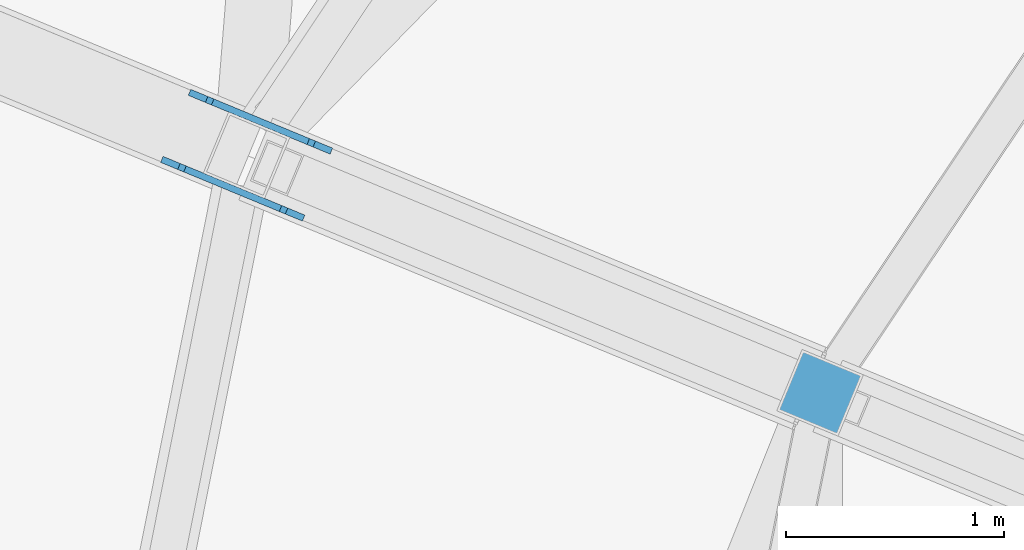
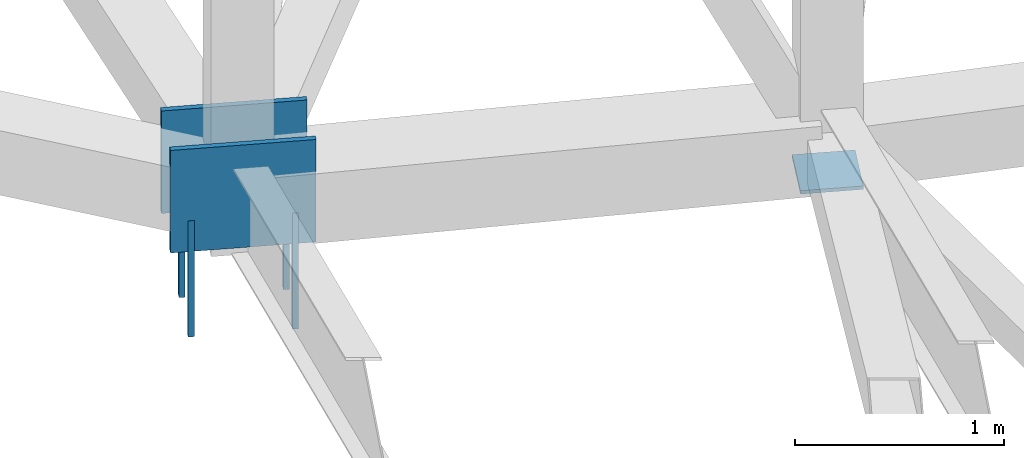
# One storey, part 217 of 278: 4 mechanical fasteners, 3 discrete accessories.
"""IFC4 building model written with IfcOpenShell, lengths in metres."""

from ifc_helpers import new_model, si_unit, direction, frame, origin, origin_2d, place, context, subcontext, project, spatial, rectangle, extrude, material, layer, layer_set, type_object, element, save


model = new_model("IFC4")

# Units and contexts
model_context = context("Model", 3, precision=1e-05, world=origin(), true_north=direction((0.0, 1.0)))
body_context = subcontext(model_context, "Body", "Model", "MODEL_VIEW")
ifc_project = project(units=[si_unit("LENGTHUNIT", "METRE"), si_unit("AREAUNIT", "SQUARE_METRE"), si_unit("VOLUMEUNIT", "CUBIC_METRE"), si_unit("PLANEANGLEUNIT", "RADIAN"), si_unit("MASSUNIT", "GRAM", prefix="KILO")], contexts=[model_context])

# Site, building, storey
site_placement = place(None, origin())
site = spatial("IfcSite", under=ifc_project, at=site_placement, CompositionType="ELEMENT")
building_placement = place(site_placement, origin())
building = spatial("IfcBuilding", under=site, at=building_placement, Name="Ogive Plaza Stadium", CompositionType="ELEMENT")
storey_placement = place(building_placement, frame((0.0, 0.0, 29.0)))
storey = spatial("IfcBuildingStorey", under=building, at=storey_placement, Name="Roof", CompositionType="ELEMENT", Elevation=29.0)

# Mechanical fasteners
ifc_material_1 = material(Name="Steel ASTM A992 Grade 50", Category="steel")
mechanical_fastener_type = type_object("IfcMechanicalFastenerType", Name="Anchor bolt M30 x 600", PredefinedType="ANCHORBOLT", material=ifc_material_1)
for number, where, z_axis, x_axis, name in (
    (1, (-71.251953125, 67.750244140625, -0.5), (0.0, 0.0, 1.0), (-0.923879532511, 0.382683432365, 0.0), "ANCHOR BOLT 29 BP 1.1"),
    (2, (-70.78564453125, 67.556884765625, -0.5), (0.0, 0.0, 1.0), (-0.923879532511, 0.382683432365, 0.0), "ANCHOR BOLT 29 BP 1.2"),
    (3, (-71.124755859375, 68.0576171875, -0.5), (0.0, 0.0, 1.0), (-0.923879532511, 0.382683432365, 0.0), "ANCHOR BOLT 29 BP 2.1"),
    (4, (-70.658203125, 67.864501953125, -0.5), (0.0, 0.0, 1.0), (-0.923879532511, 0.382683432365, 0.0), "ANCHOR BOLT 29 BP 2.2"),
):
    element("IfcMechanicalFastener", number, at=place(storey_placement, frame(where, z_axis=z_axis, x_axis=x_axis)), inside=storey, type_object=mechanical_fastener_type, Name=name, PredefinedType="ANCHORBOLT", context=body_context, shape_type="SweptSolid", body=[
        extrude(rectangle(XDim=0.030029296875, YDim=0.030029296875, at=origin_2d()), origin(), (0.0, 0.0, 1.0), 0.679931640625),
    ])

# Discrete accessories
ifc_material_2 = material(Name="Steel ASTM A992 Grade 50", Category="steel")
ifc_layer_1 = layer(ifc_material_2, 0.02001953125)
ifc_layer_set_1 = layer_set([ifc_layer_1], Name="Steel ASTM A992 Grade 50")
discrete_accessory_type_1 = type_object("IfcDiscreteAccessoryType", Name="Roof truss post cap plate 20", PredefinedType="ANCHORPLATE", material=ifc_layer_set_1)
discrete_accessory_placement = place(storey_placement, frame((-68.322021484375, 66.716796875, 0.04541015625), z_axis=(0.0, 0.0, 1.0), x_axis=(-0.923879532511, 0.382683432365, 0.0)))
element("IfcDiscreteAccessory", 5, at=discrete_accessory_placement, inside=storey, type_object=discrete_accessory_type_1, Name="ROOF TRUSS POST CAP PLATE 29 10", PredefinedType="ANCHORPLATE", context=body_context, shape_type="SweptSolid", body=[
    extrude(rectangle(XDim=0.3046875, YDim=0.3046875, at=origin_2d()), origin(), (0.0, 0.0, 1.0), 0.02001953125),
])
ifc_material_3 = material(Name="Steel ASTM A992 Grade 50", Category="steel")
ifc_layer_2 = layer(ifc_material_3, 0.030029296875)
ifc_layer_set_2 = layer_set([ifc_layer_2], Name="Steel ASTM A992 Grade 50")
discrete_accessory_type_2 = type_object("IfcDiscreteAccessoryType", Name="Truss root foot cleat plate 30", PredefinedType="ANCHORPLATE", material=ifc_layer_set_2)
for number, where, z_axis, x_axis, name in (
    (6, (-71.018798828125, 67.653564453125, 0.0), (0.0, 0.0, 1.0), (-0.923879532511, 0.382683432365, 0.0), "TRUSS ROOT FOOT CLEAT PLATE 29 1"),
    (7, (-70.8916015625, 67.961181640625, 0.0), (0.0, 0.0, 1.0), (-0.923879532511, 0.382683432365, 0.0), "TRUSS ROOT FOOT CLEAT PLATE 29 2"),
):
    element("IfcDiscreteAccessory", number, at=place(storey_placement, frame(where, z_axis=z_axis, x_axis=x_axis)), inside=storey, type_object=discrete_accessory_type_2, Name=name, PredefinedType="ANCHORPLATE", context=body_context, shape_type="SweptSolid", body=[
        extrude(rectangle(XDim=0.704833984375, YDim=0.030029296875, at=origin_2d()), origin(), (0.0, 0.0, 1.0), 0.60009765625),
    ])

save(model, "model.ifc")
